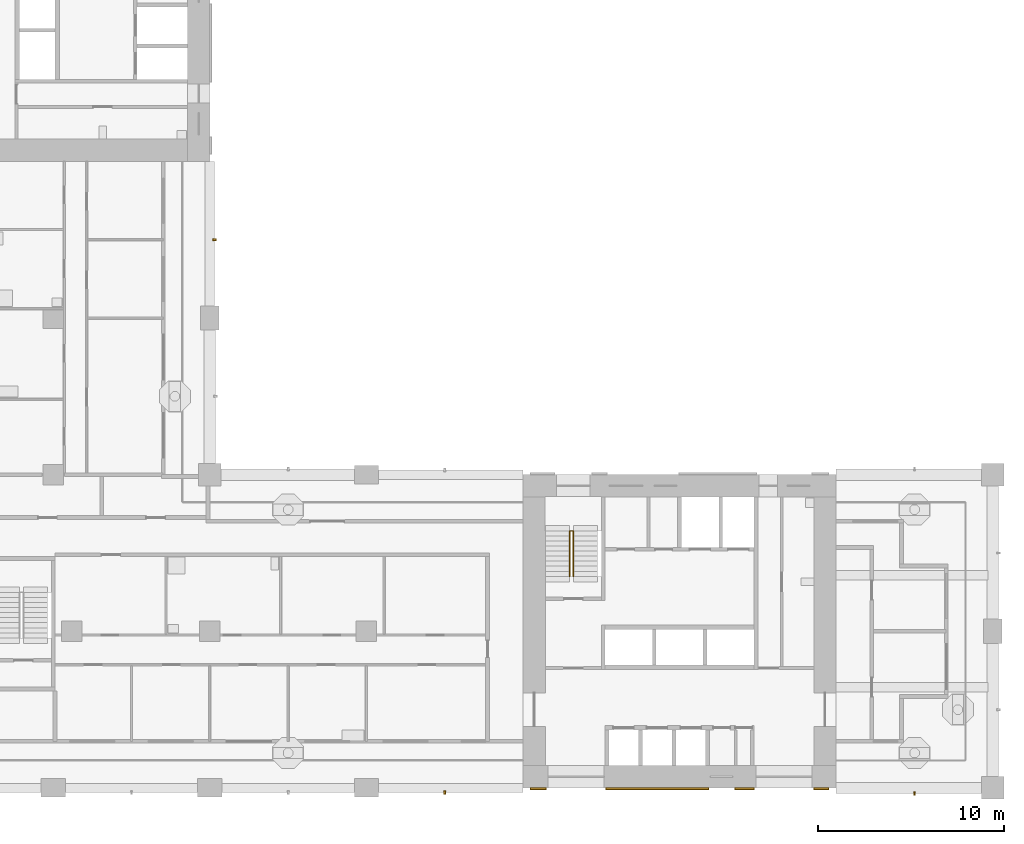
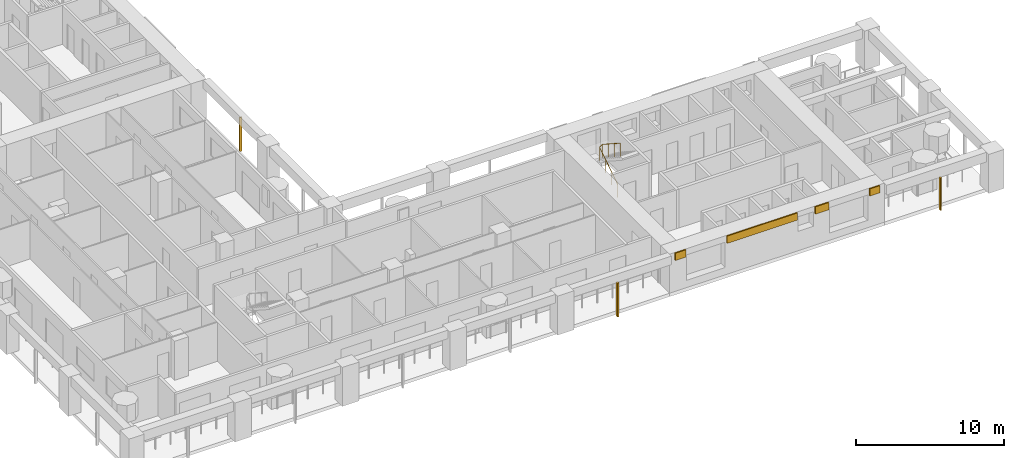
# One storey, part 11 of 18: 7 shading devices, 1 railing.
"""IFC4 building model written with IfcOpenShell, lengths in metres."""

from ifc_helpers import new_model, si_unit, direction, frame, origin, origin_2d, place, context, subcontext, project, spatial, rectangle, circle, extrude, material, layer, layer_set, material_profile, profile_set, type_object, element, save


model = new_model("IFC4")

# Units and contexts
model_context = context("Model", 3, precision=1e-05, world=origin(), true_north=direction((0.0, 1.0)))
body_context = subcontext(model_context, "Body", "Model", "MODEL_VIEW")
ifc_project = project(units=[si_unit("LENGTHUNIT", "METRE"), si_unit("AREAUNIT", "SQUARE_METRE"), si_unit("VOLUMEUNIT", "CUBIC_METRE"), si_unit("PLANEANGLEUNIT", "RADIAN"), si_unit("MASSUNIT", "GRAM", prefix="KILO")], contexts=[model_context])

# Site, building, storey
site_placement = place(None, origin())
site = spatial("IfcSite", under=ifc_project, at=site_placement, CompositionType="ELEMENT")
building_placement = place(site_placement, origin())
building = spatial("IfcBuilding", under=site, at=building_placement, Name="Vermilion Gate Residences", CompositionType="ELEMENT")
storey_placement = place(building_placement, frame((0.0, 0.0, 102.199951171875)))
storey = spatial("IfcBuildingStorey", under=building, at=storey_placement, Name="L25", CompositionType="ELEMENT", Elevation=102.199951171875)

# Railing
ifc_material_1 = material(Name="Steel S355", Category="steel")
railing_type = type_object("IfcRailingType", Name="STAIR GUARD 1100 STEEL", PredefinedType="GUARDRAIL", material=ifc_material_1)
railing_placement = place(storey_placement, frame((44.5, 19.75, 0.175048828125)))
element("IfcRailing", 1, at=railing_placement, inside=storey, type_object=railing_type, Name="Stair well guard STA1-25", PredefinedType="GUARDRAIL", context=body_context, shape_type="SweptSolid", body=[
    extrude(circle(Radius=0.02392578125, at=origin_2d()), frame((0.0, 0.0, 1.076171875), z_axis=(0.0, 0.839153699163, 0.543894354798), x_axis=(-1.0, 0.0, 0.0)), (0.0, 0.0, 1.0), 2.895751953125),
    extrude(circle(Radius=0.02392578125, at=origin_2d()), frame((0.0, 2.429931640625, 2.65087890625), z_axis=(0.752405939678, 0.0, 0.658699705433), x_axis=(0.0, 1.0, 0.0)), (0.0, 0.0, 1.0), 0.265869140625),
    extrude(circle(Radius=0.02392578125, at=origin_2d()), frame((0.199951171875, 2.429931640625, 2.826171875), z_axis=(0.0, -0.839153699163, 0.543894354798), x_axis=(1.0, 0.0, 0.0)), (0.0, 0.0, 1.0), 2.895751953125),
    extrude(circle(Radius=0.02099609375, at=origin_2d()), origin(), (0.0, 0.0, 1.0), 1.052001953125),
    extrude(circle(Radius=0.02099609375, at=origin_2d()), frame((0.0, 0.81005859375, 0.52490234375)), (0.0, 0.0, 1.0), 1.052001953125),
    extrude(circle(Radius=0.02099609375, at=origin_2d()), frame((0.0, 1.619873046875, 1.050048828125)), (0.0, 0.0, 1.0), 1.052001953125),
    extrude(circle(Radius=0.02099609375, at=origin_2d()), frame((0.0, 2.429931640625, 1.574951171875)), (0.0, 0.0, 1.0), 1.052001953125),
    extrude(circle(Radius=0.02099609375, at=origin_2d()), frame((0.199951171875, 2.429931640625, 1.75)), (0.0, 0.0, 1.0), 1.052001953125),
    extrude(circle(Radius=0.02099609375, at=origin_2d()), frame((0.199951171875, 1.619873046875, 2.27490234375)), (0.0, 0.0, 1.0), 1.052001953125),
    extrude(circle(Radius=0.02099609375, at=origin_2d()), frame((0.199951171875, 0.81005859375, 2.800048828125)), (0.0, 0.0, 1.0), 1.052001953125),
    extrude(circle(Radius=0.02099609375, at=origin_2d()), frame((0.199951171875, 0.0, 3.324951171875)), (0.0, 0.0, 1.0), 1.052001953125),
])

# Shading devices
ifc_material_2 = material(Name="Extruded terracotta", Category="masonry")
ifc_material_profile = material_profile(ifc_material_2, rectangle(XDim=0.199951171875, YDim=0.10009765625, at=origin_2d()), Name="BAGUETTE 100 X 200")
ifc_profile_set = profile_set([ifc_material_profile], Name="Extruded terracotta")
shading_device_type_1 = type_object("IfcShadingDeviceType", Name="TERRACOTTA BAGUETTE 100 X 200", PredefinedType="JALOUSIE", material=ifc_profile_set)
shading_device_1_placement = place(storey_placement, frame((37.800048828125, 8.14990234375, -0.280029296875), z_axis=(0.0, 0.0, 1.0), x_axis=(0.0, 1.0, 0.0)))
element("IfcShadingDevice", 2, at=shading_device_1_placement, inside=storey, type_object=shading_device_type_1, Name="BAGUETTE", PredefinedType="JALOUSIE", context=body_context, shape_type="SweptSolid", body=[
    extrude(rectangle(XDim=0.199951171875, YDim=0.10009765625, at=origin_2d()), origin(), (0.0, 0.0, 1.0), 2.800048828125),
])
shading_device_2_placement = place(storey_placement, frame((63.0, 8.10009765625, -0.280029296875), z_axis=(0.0, 0.0, 1.0), x_axis=(0.0, 1.0, 0.0)))
element("IfcShadingDevice", 3, at=shading_device_2_placement, inside=storey, type_object=shading_device_type_1, Name="BAGUETTE", PredefinedType="JALOUSIE", context=body_context, shape_type="SweptSolid", body=[
    extrude(rectangle(XDim=0.199951171875, YDim=0.10009765625, at=origin_2d()), origin(), (0.0, 0.0, 1.0), 2.7001953125),
])
shading_device_3_placement = place(storey_placement, frame((25.449951171875, 37.800048828125, -0.280029296875), z_axis=(0.0, 0.0, 1.0), x_axis=(-1.0, 0.0, 0.0)))
element("IfcShadingDevice", 4, at=shading_device_3_placement, inside=storey, type_object=shading_device_type_1, Name="BAGUETTE", PredefinedType="JALOUSIE", context=body_context, shape_type="SweptSolid", body=[
    extrude(rectangle(XDim=0.199951171875, YDim=0.10009765625, at=origin_2d()), origin(), (0.0, 0.0, 1.0), 2.800048828125),
])
ifc_material_3 = material(Name="Extruded terracotta", Category="masonry")
ifc_layer = layer(ifc_material_3, 0.10009765625)
ifc_layer_set = layer_set([ifc_layer], Name="TERRACOTTA SPANDREL BAND 600 X 100")
shading_device_type_2 = type_object("IfcShadingDeviceType", Name="TERRACOTTA SPANDREL BAND 600 X 100", PredefinedType="USERDEFINED", material=ifc_layer_set)
shading_device_4_placement = place(storey_placement, frame((42.824951171875, 8.35009765625, 2.6201171875), z_axis=(0.0, 0.0, 1.0), x_axis=(1.0, 0.0, 0.0)))
element("IfcShadingDevice", 5, at=shading_device_4_placement, inside=storey, type_object=shading_device_type_2, Name="SPANDREL BAND", ObjectType="BAND", PredefinedType="USERDEFINED", context=body_context, shape_type="SweptSolid", body=[
    extrude(rectangle(XDim=0.85009765625, YDim=0.10009765625, at=origin_2d()), origin(), (0.0, 0.0, 1.0), 0.60009765625),
])
shading_device_5_placement = place(storey_placement, frame((49.199951171875, 8.35009765625, 2.6201171875), z_axis=(0.0, 0.0, 1.0), x_axis=(1.0, 0.0, 0.0)))
element("IfcShadingDevice", 6, at=shading_device_5_placement, inside=storey, type_object=shading_device_type_2, Name="SPANDREL BAND", ObjectType="BAND", PredefinedType="USERDEFINED", context=body_context, shape_type="SweptSolid", body=[
    extrude(rectangle(XDim=5.5, YDim=0.10009765625, at=origin_2d()), origin(), (0.0, 0.0, 1.0), 0.60009765625),
])
shading_device_6_placement = place(storey_placement, frame((53.875, 8.35009765625, 2.6201171875), z_axis=(0.0, 0.0, 1.0), x_axis=(1.0, 0.0, 0.0)))
element("IfcShadingDevice", 7, at=shading_device_6_placement, inside=storey, type_object=shading_device_type_2, Name="SPANDREL BAND", ObjectType="BAND", PredefinedType="USERDEFINED", context=body_context, shape_type="SweptSolid", body=[
    extrude(rectangle(XDim=1.050048828125, YDim=0.10009765625, at=origin_2d()), origin(), (0.0, 0.0, 1.0), 0.60009765625),
])
shading_device_7_placement = place(storey_placement, frame((58.0, 8.35009765625, 2.6201171875), z_axis=(0.0, 0.0, 1.0), x_axis=(1.0, 0.0, 0.0)))
element("IfcShadingDevice", 8, at=shading_device_7_placement, inside=storey, type_object=shading_device_type_2, Name="SPANDREL BAND", ObjectType="BAND", PredefinedType="USERDEFINED", context=body_context, shape_type="SweptSolid", body=[
    extrude(rectangle(XDim=0.800048828125, YDim=0.10009765625, at=origin_2d()), origin(), (0.0, 0.0, 1.0), 0.60009765625),
])

save(model, "model.ifc")
